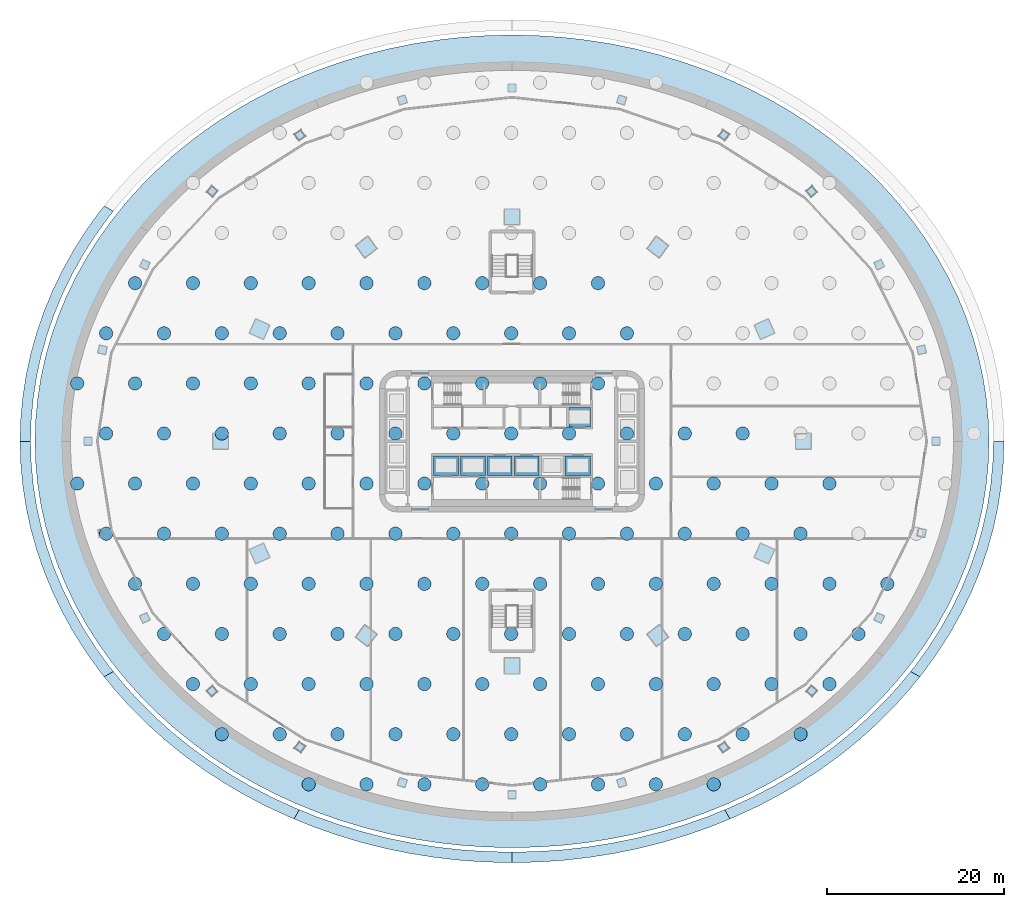
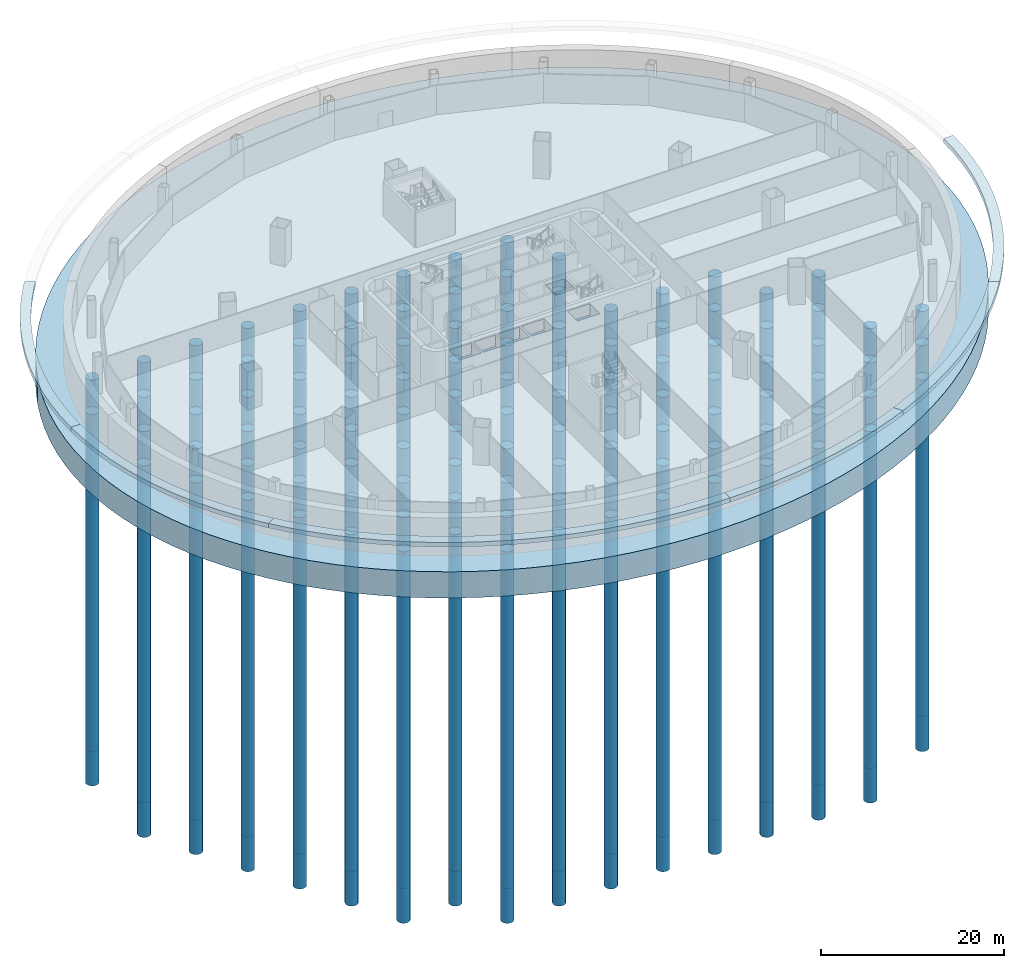
# One storey, part 1 of 19: 126 piles, 14 footings.
"""IFC4 building model written with IfcOpenShell, lengths in metres."""

import ifcopenshell
import ifcopenshell.guid

model = None  # the IFC model being written
_history = None  # IfcOwnerHistory: only IFC2X3 demands one
_inside = {}  # id of a spatial element -> (the spatial element, [elements in it])
_under = {}  # id of a project, library or spatial element -> (it, [spatial elements below it])
_declared = {}  # id of a project -> (the project, [libraries it declares])
_typed = {}  # id of a type object -> (the type object, [elements of that type])
_made_of = {}  # id of a material, layer set ... -> (it, [elements and type objects made of it])


def new_model(schema):
    """Start an empty IFC model of exactly this schema.

    Asked for "IFC4X3", IfcOpenShell would pick the latest addendum, in which some entities
    have other attributes; the version numbers below select the first issue.
    IFC2X3 requires an IfcOwnerHistory on every rooted entity: one is made here for all.
    """
    global model, _history
    if schema == "IFC4X3":
        model = ifcopenshell.file(schema_version=(4, 3, 0, 0))
    else:
        model = ifcopenshell.file(schema=schema)
    _inside.clear()
    _under.clear()
    _declared.clear()
    _typed.clear()
    _made_of.clear()
    _history = None
    if model.schema == "IFC2X3":
        org = make("IfcOrganization", Name="unknown")
        user = make(
            "IfcPersonAndOrganization",
            ThePerson=make("IfcPerson", FamilyName="unknown"),
            TheOrganization=org,
        )
        app = make(
            "IfcApplication",
            ApplicationDeveloper=org,
            Version="unknown",
            ApplicationFullName="unknown",
            ApplicationIdentifier="unknown",
        )
        _history = make(
            "IfcOwnerHistory",
            OwningUser=user,
            OwningApplication=app,
            ChangeAction="ADDED",
            CreationDate=0,
        )
    return model


def make(cls, **values):
    """One entity of the class cls with the attributes given. An attribute that is None is left unset."""
    return model.create_entity(
        cls, **{name: value for name, value in values.items() if value is not None}
    )


def rooted(cls, **values):
    """An entity with a GlobalId (a new one), such as an element, a storey or a relation."""
    return make(cls, GlobalId=ifcopenshell.guid.new(), OwnerHistory=_history, **values)


def si_unit(unit_type, name, prefix=None):
    """IfcSIUnit, for example si_unit("LENGTHUNIT", "METRE", prefix="MILLI")."""
    return make("IfcSIUnit", UnitType=unit_type, Prefix=prefix, Name=name)


def assignment(units):
    """IfcUnitAssignment: the units of a project."""
    return None if units is None else make("IfcUnitAssignment", Units=units)


def point(xyz):
    """IfcCartesianPoint."""
    return None if xyz is None else make("IfcCartesianPoint", Coordinates=xyz)


def direction(xyz):
    """IfcDirection."""
    return None if xyz is None else make("IfcDirection", DirectionRatios=xyz)


def frame(location, z_axis=None, x_axis=None):
    """IfcAxis2Placement3D, a coordinate frame: its origin and axes. An axis left out is left unset."""
    return make(
        "IfcAxis2Placement3D",
        Location=point(location),
        Axis=direction(z_axis),
        RefDirection=direction(x_axis),
    )


def frame_2d(location, x_axis=None):
    """IfcAxis2Placement2D, a coordinate frame in the plane: its origin and x axis."""
    return make(
        "IfcAxis2Placement2D", Location=point(location), RefDirection=direction(x_axis)
    )


def origin():
    """The frame at (0, 0, 0) with its axes left unset."""
    return frame((0.0, 0.0, 0.0))


def origin_2d():
    """The frame at (0, 0) in the plane with its x axis left unset."""
    return frame_2d((0.0, 0.0))


def place(relative_to, where):
    """IfcLocalPlacement: puts the frame where relative to a parent placement (None: the world)."""
    return make(
        "IfcLocalPlacement", PlacementRelTo=relative_to, RelativePlacement=where
    )


def context(
    kind, dimensions, precision=None, world=None, true_north=None, identifier=None
):
    """IfcGeometricRepresentationContext, for example the 3D "Model" context."""
    return make(
        "IfcGeometricRepresentationContext",
        ContextIdentifier=identifier,
        ContextType=kind,
        CoordinateSpaceDimension=dimensions,
        Precision=precision,
        WorldCoordinateSystem=world,
        TrueNorth=true_north,
    )


def subcontext(parent, identifier, kind, view, scale=None):
    """IfcGeometricRepresentationSubContext, for example "Body" below "Model"."""
    return make(
        "IfcGeometricRepresentationSubContext",
        ContextIdentifier=identifier,
        ContextType=kind,
        ParentContext=parent,
        TargetScale=scale,
        TargetView=view,
    )


def project(units=None, contexts=None):
    """IfcProject with its units and contexts."""
    return rooted(
        "IfcProject",
        Name="project",
        RepresentationContexts=contexts,
        UnitsInContext=assignment(units),
    )


def spatial(cls, under=None, at=None, **own):
    """A site, building, storey or space (cls), placed at a placement, below another one or the project."""
    s = rooted(cls, ObjectPlacement=at, **own)
    if under is not None:
        _under.setdefault(under.id(), (under, []))[1].append(s)
    return s


def polyline(points):
    """IfcPolyline through the points."""
    return make("IfcPolyline", Points=[point(p) for p in points])


def profile(cls, at=None, kind="AREA", **sizes):
    """A parametric profile (cls). Its sizes go by their IFC names, for example OverallWidth=200.0."""
    return make(cls, ProfileType=kind, Position=at, **sizes)


def circle(**sizes):
    """IfcCircleProfileDef."""
    return profile("IfcCircleProfileDef", **sizes)


def outline(outer, holes=None, kind="AREA"):
    """IfcArbitraryClosedProfileDef: a profile drawn as a closed curve; with holes, ...WithVoids."""
    if holes is None:
        return make("IfcArbitraryClosedProfileDef", ProfileType=kind, OuterCurve=outer)
    return make(
        "IfcArbitraryProfileDefWithVoids",
        ProfileType=kind,
        OuterCurve=outer,
        InnerCurves=holes,
    )


def extrude(swept, where, along, depth):
    """IfcExtrudedAreaSolid: the profile swept, set in the frame where, extruded along a direction by depth."""
    return make(
        "IfcExtrudedAreaSolid",
        SweptArea=swept,
        Position=where,
        ExtrudedDirection=direction(along),
        Depth=depth,
    )


def shape(context_of_items, identifier, shape_type, items):
    """IfcShapeRepresentation: the items that make up one representation, for example the "Body"."""
    return make(
        "IfcShapeRepresentation",
        ContextOfItems=context_of_items,
        RepresentationIdentifier=identifier,
        RepresentationType=shape_type,
        Items=items,
    )


def material(Name=None, Category=None):
    """IfcMaterial."""
    return make("IfcMaterial", Name=Name, Category=Category)


def layer(
    of_material, thickness, ventilated=None, Name=None, Category=None, Priority=None
):
    """IfcMaterialLayer: one layer of a wall or slab, of a material (None: an air gap)."""
    return make(
        "IfcMaterialLayer",
        Material=of_material,
        LayerThickness=thickness,
        IsVentilated=ventilated,
        Name=Name,
        Category=Category,
        Priority=Priority,
    )


def layer_set(layers, Name=None):
    """IfcMaterialLayerSet."""
    return make("IfcMaterialLayerSet", MaterialLayers=layers, LayerSetName=Name)


def material_profile(
    of_material, cross_section, Name=None, Category=None, Priority=None
):
    """IfcMaterialProfile: a cross section and its material."""
    return make(
        "IfcMaterialProfile",
        Name=Name,
        Material=of_material,
        Profile=cross_section,
        Priority=Priority,
        Category=Category,
    )


def profile_set(profiles, Name=None, composite=None):
    """IfcMaterialProfileSet."""
    return make(
        "IfcMaterialProfileSet",
        Name=Name,
        MaterialProfiles=profiles,
        CompositeProfile=composite,
    )


def made_of(thing, what):
    """Note that an element or type object is made of a material, layer set ...; save() writes the relation."""
    if what is not None:
        _made_of.setdefault(what.id(), (what, []))[1].append(thing)
    return thing


def type_object(cls, material=None, **own):
    """A type object (cls), such as IfcWallType, which elements share."""
    return made_of(rooted(cls, **own), material)


def element(
    cls,
    number,
    at=None,
    inside=None,
    cuts=None,
    type_object=None,
    material=None,
    context=None,
    identifier="Body",
    shape_type=None,
    held_by="IfcProductDefinitionShape",
    body=None,
    shapes=None,
    **own,
):
    """One element of the class cls, such as IfcWall. Its Tag is "e" and its number.

    at: its placement. inside: the storey or other place that contains it. cuts: it is an
    opening in that element (IfcRelVoidsElement). A single representation is given by context,
    identifier, shape_type and body (its items); several are given by shapes. held_by: the class
    of the entity that holds the representations. save() writes the other relations.
    """
    e = rooted(cls, Tag="e%d" % number, ObjectPlacement=at, **own)
    if body is not None:
        shapes = [shape(context, identifier, shape_type, body)]
    if shapes is not None:
        e.Representation = make(held_by, Representations=shapes)
    if inside is not None:
        _inside.setdefault(inside.id(), (inside, []))[1].append(e)
    if cuts is not None:
        rooted(
            "IfcRelVoidsElement", RelatingBuildingElement=cuts, RelatedOpeningElement=e
        )
    if type_object is not None:
        _typed.setdefault(type_object.id(), (type_object, []))[1].append(e)
    return made_of(e, material)


def aggregate(whole, parts):
    """IfcRelAggregates: a whole, such as a stair, and the parts it consists of."""
    return rooted("IfcRelAggregates", RelatingObject=whole, RelatedObjects=parts)


def save(model, path):
    """Write the relations noted so far, then the file.

    IfcRelAggregates (storeys below a building ...), IfcRelContainedInSpatialStructure (elements
    in a storey), IfcRelDefinesByType, IfcRelAssociatesMaterial and IfcRelDeclares: one each for
    every whole, place, type object, material and project.
    """
    for whole, parts in _under.values():
        aggregate(whole, parts)
    for where, things in _inside.values():
        rooted(
            "IfcRelContainedInSpatialStructure",
            RelatedElements=things,
            RelatingStructure=where,
        )
    for kind, things in _typed.values():
        rooted("IfcRelDefinesByType", RelatedObjects=things, RelatingType=kind)
    for what, things in _made_of.values():
        rooted("IfcRelAssociatesMaterial", RelatedObjects=things, RelatingMaterial=what)
    for by, libraries in _declared.values():
        rooted("IfcRelDeclares", RelatingContext=by, RelatedDefinitions=libraries)
    model.write(path)


model = new_model("IFC4")

# Units and contexts
model_context = context("Model", 3, precision=1e-05, world=origin(), true_north=direction((0.0, 1.0)))
body_context = subcontext(model_context, "Body", "Model", "MODEL_VIEW")
ifc_project = project(units=[si_unit("LENGTHUNIT", "METRE"), si_unit("AREAUNIT", "SQUARE_METRE"), si_unit("VOLUMEUNIT", "CUBIC_METRE"), si_unit("PLANEANGLEUNIT", "RADIAN"), si_unit("MASSUNIT", "GRAM", prefix="KILO")], contexts=[model_context])

# Site, building, storey
site_placement = place(None, origin())
site = spatial("IfcSite", under=ifc_project, at=site_placement, CompositionType="ELEMENT")
building_placement = place(site_placement, origin())
building = spatial("IfcBuilding", under=site, at=building_placement, Name="Sahrelin Media Tower", CompositionType="ELEMENT")
storey_placement = place(building_placement, frame((0.0, 0.0, -5.0)))
storey = spatial("IfcBuildingStorey", under=building, at=storey_placement, Name="B1", CompositionType="ELEMENT", Elevation=-5.0)

# Piles
ifc_material_1 = material(Name="Concrete C60/75", Category="concrete")
ifc_material_profile = material_profile(ifc_material_1, circle(Radius=0.75, at=origin_2d()), Name="Bored pile D1500")
ifc_profile_set = profile_set([ifc_material_profile], Name="Concrete C60/75")
pile_type = type_object("IfcPileType", Name="Bored pile D1500", PredefinedType="BORED", material=ifc_profile_set)
for number, where, z_axis, x_axis, name in (
    (1, (-23.0205078125, -38.82666015625, -3.800048828125), (0.0, 0.0, -1.0), (1.0, 0.0, 0.0), "Bored pile 1"),
    (2, (-16.469482421875, -38.82666015625, -3.800048828125), (0.0, 0.0, -1.0), (1.0, 0.0, 0.0), "Bored pile 2"),
    (3, (-9.91845703125, -38.82666015625, -3.800048828125), (0.0, 0.0, -1.0), (1.0, 0.0, 0.0), "Bored pile 3"),
    (4, (-3.367431640625, -38.82666015625, -3.800048828125), (0.0, 0.0, -1.0), (1.0, 0.0, 0.0), "Bored pile 4"),
    (5, (3.18359375, -38.82666015625, -3.800048828125), (0.0, 0.0, -1.0), (1.0, 0.0, 0.0), "Bored pile 5"),
    (6, (9.734619140625, -38.82666015625, -3.800048828125), (0.0, 0.0, -1.0), (1.0, 0.0, 0.0), "Bored pile 6"),
    (7, (16.285400390625, -38.82666015625, -3.800048828125), (0.0, 0.0, -1.0), (1.0, 0.0, 0.0), "Bored pile 7"),
    (8, (22.83642578125, -38.82666015625, -3.800048828125), (0.0, 0.0, -1.0), (1.0, 0.0, 0.0), "Bored pile 8"),
    (9, (-32.846923828125, -33.1533203125, -3.800048828125), (0.0, 0.0, -1.0), (1.0, 0.0, 0.0), "Bored pile 9"),
    (10, (-26.2958984375, -33.1533203125, -3.800048828125), (0.0, 0.0, -1.0), (1.0, 0.0, 0.0), "Bored pile 10"),
    (11, (-19.7451171875, -33.1533203125, -3.800048828125), (0.0, 0.0, -1.0), (1.0, 0.0, 0.0), "Bored pile 11"),
    (12, (-13.194091796875, -33.1533203125, -3.800048828125), (0.0, 0.0, -1.0), (1.0, 0.0, 0.0), "Bored pile 12"),
    (13, (-6.64306640625, -33.1533203125, -3.800048828125), (0.0, 0.0, -1.0), (1.0, 0.0, 0.0), "Bored pile 13"),
    (14, (-0.092041015625, -33.1533203125, -3.800048828125), (0.0, 0.0, -1.0), (1.0, 0.0, 0.0), "Bored pile 14"),
    (15, (6.458984375, -33.1533203125, -3.800048828125), (0.0, 0.0, -1.0), (1.0, 0.0, 0.0), "Bored pile 15"),
    (16, (13.010009765625, -33.1533203125, -3.800048828125), (0.0, 0.0, -1.0), (1.0, 0.0, 0.0), "Bored pile 16"),
    (17, (19.56103515625, -33.1533203125, -3.800048828125), (0.0, 0.0, -1.0), (1.0, 0.0, 0.0), "Bored pile 17"),
    (18, (26.112060546875, -33.1533203125, -3.800048828125), (0.0, 0.0, -1.0), (1.0, 0.0, 0.0), "Bored pile 18"),
    (19, (32.6630859375, -33.1533203125, -3.800048828125), (0.0, 0.0, -1.0), (1.0, 0.0, 0.0), "Bored pile 19"),
    (20, (-36.12255859375, -27.47998046875, -3.800048828125), (0.0, 0.0, -1.0), (1.0, 0.0, 0.0), "Bored pile 20"),
    (21, (-29.571533203125, -27.47998046875, -3.800048828125), (0.0, 0.0, -1.0), (1.0, 0.0, 0.0), "Bored pile 21"),
    (22, (-23.0205078125, -27.47998046875, -3.800048828125), (0.0, 0.0, -1.0), (1.0, 0.0, 0.0), "Bored pile 22"),
    (23, (-16.469482421875, -27.47998046875, -3.800048828125), (0.0, 0.0, -1.0), (1.0, 0.0, 0.0), "Bored pile 23"),
    (24, (-9.91845703125, -27.47998046875, -3.800048828125), (0.0, 0.0, -1.0), (1.0, 0.0, 0.0), "Bored pile 24"),
    (25, (-3.367431640625, -27.47998046875, -3.800048828125), (0.0, 0.0, -1.0), (1.0, 0.0, 0.0), "Bored pile 25"),
    (26, (3.18359375, -27.47998046875, -3.800048828125), (0.0, 0.0, -1.0), (1.0, 0.0, 0.0), "Bored pile 26"),
    (27, (9.734619140625, -27.47998046875, -3.800048828125), (0.0, 0.0, -1.0), (1.0, 0.0, 0.0), "Bored pile 27"),
    (28, (16.285400390625, -27.47998046875, -3.800048828125), (0.0, 0.0, -1.0), (1.0, 0.0, 0.0), "Bored pile 28"),
    (29, (22.83642578125, -27.47998046875, -3.800048828125), (0.0, 0.0, -1.0), (1.0, 0.0, 0.0), "Bored pile 29"),
    (30, (29.387451171875, -27.47998046875, -3.800048828125), (0.0, 0.0, -1.0), (1.0, 0.0, 0.0), "Bored pile 30"),
    (31, (35.9384765625, -27.47998046875, -3.800048828125), (0.0, 0.0, -1.0), (1.0, 0.0, 0.0), "Bored pile 31"),
    (32, (-39.39794921875, -21.806640625, -3.800048828125), (0.0, 0.0, -1.0), (1.0, 0.0, 0.0), "Bored pile 32"),
    (33, (-32.846923828125, -21.806640625, -3.800048828125), (0.0, 0.0, -1.0), (1.0, 0.0, 0.0), "Bored pile 33"),
    (34, (-26.2958984375, -21.806640625, -3.800048828125), (0.0, 0.0, -1.0), (1.0, 0.0, 0.0), "Bored pile 34"),
    (35, (-19.7451171875, -21.806640625, -3.800048828125), (0.0, 0.0, -1.0), (1.0, 0.0, 0.0), "Bored pile 35"),
    (36, (-13.194091796875, -21.806640625, -3.800048828125), (0.0, 0.0, -1.0), (1.0, 0.0, 0.0), "Bored pile 36"),
    (37, (-6.64306640625, -21.806640625, -3.800048828125), (0.0, 0.0, -1.0), (1.0, 0.0, 0.0), "Bored pile 37"),
    (38, (-0.092041015625, -21.806640625, -3.800048828125), (0.0, 0.0, -1.0), (1.0, 0.0, 0.0), "Bored pile 38"),
    (39, (6.458984375, -21.806640625, -3.800048828125), (0.0, 0.0, -1.0), (1.0, 0.0, 0.0), "Bored pile 39"),
    (40, (13.010009765625, -21.806640625, -3.800048828125), (0.0, 0.0, -1.0), (1.0, 0.0, 0.0), "Bored pile 40"),
    (41, (19.56103515625, -21.806640625, -3.800048828125), (0.0, 0.0, -1.0), (1.0, 0.0, 0.0), "Bored pile 41"),
    (42, (26.112060546875, -21.806640625, -3.800048828125), (0.0, 0.0, -1.0), (1.0, 0.0, 0.0), "Bored pile 42"),
    (43, (32.6630859375, -21.806640625, -3.800048828125), (0.0, 0.0, -1.0), (1.0, 0.0, 0.0), "Bored pile 43"),
    (44, (39.214111328125, -21.806640625, -3.800048828125), (0.0, 0.0, -1.0), (1.0, 0.0, 0.0), "Bored pile 44"),
    (45, (-42.673583984375, -16.13330078125, -3.800048828125), (0.0, 0.0, -1.0), (1.0, 0.0, 0.0), "Bored pile 45"),
    (46, (-36.12255859375, -16.13330078125, -3.800048828125), (0.0, 0.0, -1.0), (1.0, 0.0, 0.0), "Bored pile 46"),
    (47, (-29.571533203125, -16.13330078125, -3.800048828125), (0.0, 0.0, -1.0), (1.0, 0.0, 0.0), "Bored pile 47"),
    (48, (-23.0205078125, -16.13330078125, -3.800048828125), (0.0, 0.0, -1.0), (1.0, 0.0, 0.0), "Bored pile 48"),
    (49, (-16.469482421875, -16.13330078125, -3.800048828125), (0.0, 0.0, -1.0), (1.0, 0.0, 0.0), "Bored pile 49"),
    (50, (-9.91845703125, -16.13330078125, -3.800048828125), (0.0, 0.0, -1.0), (1.0, 0.0, 0.0), "Bored pile 50"),
    (51, (-3.367431640625, -16.13330078125, -3.800048828125), (0.0, 0.0, -1.0), (1.0, 0.0, 0.0), "Bored pile 51"),
    (52, (3.18359375, -16.13330078125, -3.800048828125), (0.0, 0.0, -1.0), (1.0, 0.0, 0.0), "Bored pile 52"),
    (53, (9.734619140625, -16.13330078125, -3.800048828125), (0.0, 0.0, -1.0), (1.0, 0.0, 0.0), "Bored pile 53"),
    (54, (16.285400390625, -16.13330078125, -3.800048828125), (0.0, 0.0, -1.0), (1.0, 0.0, 0.0), "Bored pile 54"),
    (55, (22.83642578125, -16.13330078125, -3.800048828125), (0.0, 0.0, -1.0), (1.0, 0.0, 0.0), "Bored pile 55"),
    (56, (29.387451171875, -16.13330078125, -3.800048828125), (0.0, 0.0, -1.0), (1.0, 0.0, 0.0), "Bored pile 56"),
    (57, (35.9384765625, -16.13330078125, -3.800048828125), (0.0, 0.0, -1.0), (1.0, 0.0, 0.0), "Bored pile 57"),
    (58, (42.489501953125, -16.13330078125, -3.800048828125), (0.0, 0.0, -1.0), (1.0, 0.0, 0.0), "Bored pile 58"),
    (59, (-45.948974609375, -10.4599609375, -3.800048828125), (0.0, 0.0, -1.0), (1.0, 0.0, 0.0), "Bored pile 59"),
    (60, (-39.39794921875, -10.4599609375, -3.800048828125), (0.0, 0.0, -1.0), (1.0, 0.0, 0.0), "Bored pile 60"),
    (61, (-32.846923828125, -10.4599609375, -3.800048828125), (0.0, 0.0, -1.0), (1.0, 0.0, 0.0), "Bored pile 61"),
    (62, (-26.2958984375, -10.4599609375, -3.800048828125), (0.0, 0.0, -1.0), (1.0, 0.0, 0.0), "Bored pile 62"),
    (63, (-19.7451171875, -10.4599609375, -3.800048828125), (0.0, 0.0, -1.0), (1.0, 0.0, 0.0), "Bored pile 63"),
    (64, (-13.194091796875, -10.4599609375, -3.800048828125), (0.0, 0.0, -1.0), (1.0, 0.0, 0.0), "Bored pile 64"),
    (65, (-6.64306640625, -10.4599609375, -3.800048828125), (0.0, 0.0, -1.0), (1.0, 0.0, 0.0), "Bored pile 65"),
    (66, (-0.092041015625, -10.4599609375, -3.800048828125), (0.0, 0.0, -1.0), (1.0, 0.0, 0.0), "Bored pile 66"),
    (67, (6.458984375, -10.4599609375, -3.800048828125), (0.0, 0.0, -1.0), (1.0, 0.0, 0.0), "Bored pile 67"),
    (68, (13.010009765625, -10.4599609375, -3.800048828125), (0.0, 0.0, -1.0), (1.0, 0.0, 0.0), "Bored pile 68"),
    (69, (19.56103515625, -10.4599609375, -3.800048828125), (0.0, 0.0, -1.0), (1.0, 0.0, 0.0), "Bored pile 69"),
    (70, (26.112060546875, -10.4599609375, -3.800048828125), (0.0, 0.0, -1.0), (1.0, 0.0, 0.0), "Bored pile 70"),
    (71, (32.6630859375, -10.4599609375, -3.800048828125), (0.0, 0.0, -1.0), (1.0, 0.0, 0.0), "Bored pile 71"),
    (72, (-49.224609375, -4.78662109375, -3.800048828125), (0.0, 0.0, -1.0), (1.0, 0.0, 0.0), "Bored pile 74"),
    (73, (-42.673583984375, -4.78662109375, -3.800048828125), (0.0, 0.0, -1.0), (1.0, 0.0, 0.0), "Bored pile 75"),
    (74, (-36.12255859375, -4.78662109375, -3.800048828125), (0.0, 0.0, -1.0), (1.0, 0.0, 0.0), "Bored pile 76"),
    (75, (-29.571533203125, -4.78662109375, -3.800048828125), (0.0, 0.0, -1.0), (1.0, 0.0, 0.0), "Bored pile 77"),
    (76, (-23.0205078125, -4.78662109375, -3.800048828125), (0.0, 0.0, -1.0), (1.0, 0.0, 0.0), "Bored pile 78"),
    (77, (-16.469482421875, -4.78662109375, -3.800048828125), (0.0, 0.0, -1.0), (1.0, 0.0, 0.0), "Bored pile 79"),
    (78, (-9.91845703125, -4.78662109375, -3.800048828125), (0.0, 0.0, -1.0), (1.0, 0.0, 0.0), "Bored pile 80"),
    (79, (-3.367431640625, -4.78662109375, -3.800048828125), (0.0, 0.0, -1.0), (1.0, 0.0, 0.0), "Bored pile 81"),
    (80, (3.18359375, -4.78662109375, -3.800048828125), (0.0, 0.0, -1.0), (1.0, 0.0, 0.0), "Bored pile 82"),
    (81, (9.734619140625, -4.78662109375, -3.800048828125), (0.0, 0.0, -1.0), (1.0, 0.0, 0.0), "Bored pile 83"),
    (82, (16.285400390625, -4.78662109375, -3.800048828125), (0.0, 0.0, -1.0), (1.0, 0.0, 0.0), "Bored pile 84"),
    (83, (22.83642578125, -4.78662109375, -3.800048828125), (0.0, 0.0, -1.0), (1.0, 0.0, 0.0), "Bored pile 85"),
    (84, (29.387451171875, -4.78662109375, -3.800048828125), (0.0, 0.0, -1.0), (1.0, 0.0, 0.0), "Bored pile 86"),
    (85, (35.9384765625, -4.78662109375, -3.800048828125), (0.0, 0.0, -1.0), (1.0, 0.0, 0.0), "Bored pile 87"),
    (86, (-45.948974609375, 0.88671875, -3.800048828125), (0.0, 0.0, -1.0), (1.0, 0.0, 0.0), "Bored pile 90"),
    (87, (-39.39794921875, 0.88671875, -3.800048828125), (0.0, 0.0, -1.0), (1.0, 0.0, 0.0), "Bored pile 91"),
    (88, (-32.846923828125, 0.88671875, -3.800048828125), (0.0, 0.0, -1.0), (1.0, 0.0, 0.0), "Bored pile 92"),
    (89, (-26.2958984375, 0.88671875, -3.800048828125), (0.0, 0.0, -1.0), (1.0, 0.0, 0.0), "Bored pile 93"),
    (90, (-19.7451171875, 0.88671875, -3.800048828125), (0.0, 0.0, -1.0), (1.0, 0.0, 0.0), "Bored pile 94"),
    (91, (-13.194091796875, 0.88671875, -3.800048828125), (0.0, 0.0, -1.0), (1.0, 0.0, 0.0), "Bored pile 95"),
    (92, (-6.64306640625, 0.88671875, -3.800048828125), (0.0, 0.0, -1.0), (1.0, 0.0, 0.0), "Bored pile 96"),
    (93, (-0.092041015625, 0.88671875, -3.800048828125), (0.0, 0.0, -1.0), (1.0, 0.0, 0.0), "Bored pile 97"),
    (94, (6.458984375, 0.88671875, -3.800048828125), (0.0, 0.0, -1.0), (1.0, 0.0, 0.0), "Bored pile 98"),
    (95, (13.010009765625, 0.88671875, -3.800048828125), (0.0, 0.0, -1.0), (1.0, 0.0, 0.0), "Bored pile 99"),
    (96, (19.56103515625, 0.88671875, -3.800048828125), (0.0, 0.0, -1.0), (1.0, 0.0, 0.0), "Bored pile 100"),
    (97, (26.112060546875, 0.88671875, -3.800048828125), (0.0, 0.0, -1.0), (1.0, 0.0, 0.0), "Bored pile 101"),
    (98, (-49.224609375, 6.56005859375, -3.800048828125), (0.0, 0.0, -1.0), (1.0, 0.0, 0.0), "Bored pile 106"),
    (99, (-42.673583984375, 6.56005859375, -3.800048828125), (0.0, 0.0, -1.0), (1.0, 0.0, 0.0), "Bored pile 107"),
    (100, (-36.12255859375, 6.56005859375, -3.800048828125), (0.0, 0.0, -1.0), (1.0, 0.0, 0.0), "Bored pile 108"),
    (101, (-29.571533203125, 6.56005859375, -3.800048828125), (0.0, 0.0, -1.0), (1.0, 0.0, 0.0), "Bored pile 109"),
    (102, (-23.0205078125, 6.56005859375, -3.800048828125), (0.0, 0.0, -1.0), (1.0, 0.0, 0.0), "Bored pile 110"),
    (103, (-16.469482421875, 6.56005859375, -3.800048828125), (0.0, 0.0, -1.0), (1.0, 0.0, 0.0), "Bored pile 111"),
    (104, (-9.91845703125, 6.56005859375, -3.800048828125), (0.0, 0.0, -1.0), (1.0, 0.0, 0.0), "Bored pile 112"),
    (105, (-3.367431640625, 6.56005859375, -3.800048828125), (0.0, 0.0, -1.0), (1.0, 0.0, 0.0), "Bored pile 113"),
    (106, (3.18359375, 6.56005859375, -3.800048828125), (0.0, 0.0, -1.0), (1.0, 0.0, 0.0), "Bored pile 114"),
    (107, (9.734619140625, 6.56005859375, -3.800048828125), (0.0, 0.0, -1.0), (1.0, 0.0, 0.0), "Bored pile 115"),
    (108, (-45.948974609375, 12.2333984375, -3.800048828125), (0.0, 0.0, -1.0), (1.0, 0.0, 0.0), "Bored pile 122"),
    (109, (-39.39794921875, 12.2333984375, -3.800048828125), (0.0, 0.0, -1.0), (1.0, 0.0, 0.0), "Bored pile 123"),
    (110, (-32.846923828125, 12.2333984375, -3.800048828125), (0.0, 0.0, -1.0), (1.0, 0.0, 0.0), "Bored pile 124"),
    (111, (-26.2958984375, 12.2333984375, -3.800048828125), (0.0, 0.0, -1.0), (1.0, 0.0, 0.0), "Bored pile 125"),
    (112, (-19.7451171875, 12.2333984375, -3.800048828125), (0.0, 0.0, -1.0), (1.0, 0.0, 0.0), "Bored pile 126"),
    (113, (-13.194091796875, 12.2333984375, -3.800048828125), (0.0, 0.0, -1.0), (1.0, 0.0, 0.0), "Bored pile 127"),
    (114, (-6.64306640625, 12.2333984375, -3.800048828125), (0.0, 0.0, -1.0), (1.0, 0.0, 0.0), "Bored pile 128"),
    (115, (-0.092041015625, 12.2333984375, -3.800048828125), (0.0, 0.0, -1.0), (1.0, 0.0, 0.0), "Bored pile 129"),
    (116, (6.458984375, 12.2333984375, -3.800048828125), (0.0, 0.0, -1.0), (1.0, 0.0, 0.0), "Bored pile 130"),
    (117, (13.010009765625, 12.2333984375, -3.800048828125), (0.0, 0.0, -1.0), (1.0, 0.0, 0.0), "Bored pile 131"),
    (118, (-42.673583984375, 17.90673828125, -3.800048828125), (0.0, 0.0, -1.0), (1.0, 0.0, 0.0), "Bored pile 137"),
    (119, (-36.12255859375, 17.90673828125, -3.800048828125), (0.0, 0.0, -1.0), (1.0, 0.0, 0.0), "Bored pile 138"),
    (120, (-29.571533203125, 17.90673828125, -3.800048828125), (0.0, 0.0, -1.0), (1.0, 0.0, 0.0), "Bored pile 139"),
    (121, (-23.0205078125, 17.90673828125, -3.800048828125), (0.0, 0.0, -1.0), (1.0, 0.0, 0.0), "Bored pile 140"),
    (122, (-16.469482421875, 17.90673828125, -3.800048828125), (0.0, 0.0, -1.0), (1.0, 0.0, 0.0), "Bored pile 141"),
    (123, (-9.91845703125, 17.90673828125, -3.800048828125), (0.0, 0.0, -1.0), (1.0, 0.0, 0.0), "Bored pile 142"),
    (124, (-3.367431640625, 17.90673828125, -3.800048828125), (0.0, 0.0, -1.0), (1.0, 0.0, 0.0), "Bored pile 143"),
    (125, (3.18359375, 17.90673828125, -3.800048828125), (0.0, 0.0, -1.0), (1.0, 0.0, 0.0), "Bored pile 144"),
    (126, (9.734619140625, 17.90673828125, -3.800048828125), (0.0, 0.0, -1.0), (1.0, 0.0, 0.0), "Bored pile 145"),
):
    element("IfcPile", number, at=place(storey_placement, frame(where, z_axis=z_axis, x_axis=x_axis)), inside=storey, type_object=pile_type, Name=name, PredefinedType="BORED", context=body_context, shape_type="SweptSolid", body=[
        extrude(circle(Radius=0.75, at=origin_2d()), origin(), (0.0, 0.0, 1.0), 45.0),
    ])

# Footings
ifc_material_2 = material(Name="Concrete C50/60", Category="concrete")
ifc_layer_1 = layer(ifc_material_2, 3.5)
ifc_layer_set_1 = layer_set([ifc_layer_1], Name="Piled raft")
footing_type_1 = type_object("IfcFootingType", Name="Piled raft", PredefinedType="PILE_CAP", material=ifc_layer_set_1)
placement_1 = place(storey_placement, frame((0.0, 0.0, -3.800048828125)))
element("IfcFooting", 127, at=placement_1, inside=storey, type_object=footing_type_1, Name="Raft", PredefinedType="PILE_CAP", context=body_context, shape_type="SweptSolid", body=[
    extrude(outline(polyline([(52.159912109375, -11.90576171875), (52.820068359375, -9.56396484375), (53.335205078125, -7.196044921875), (53.7041015625, -4.808349609375), (53.926025390625, -2.407470703125), (54.0, 0.0), (53.926025390625, 2.407470703125), (53.7041015625, 4.808349609375), (53.335205078125, 7.196044921875), (52.820068359375, 9.56396484375), (52.159912109375, 11.90576171875), (51.357177734375, 14.21484375), (50.413330078125, 16.48486328125), (49.33154296875, 18.7099609375), (48.114501953125, 20.883544921875), (46.765380859375, 23.0), (45.2880859375, 25.053466796875), (43.68701171875, 27.0380859375), (41.9658203125, 28.94873046875), (40.1298828125, 30.780029296875), (38.183837890625, 32.52685546875), (36.133056640625, 34.184814453125), (33.9833984375, 35.748779296875), (31.740478515625, 37.21484375), (29.410400390625, 38.578857421875), (27.0, 39.837158203125), (24.515380859375, 40.986328125), (21.9638671875, 42.023193359375), (19.351806640625, 42.944580078125), (16.68701171875, 43.74853515625), (13.976318359375, 44.4326171875), (11.227294921875, 44.994873046875), (8.447509765625, 45.43359375), (5.64453125, 45.748046875), (2.826171875, 45.93701171875), (0.0, 46.0), (-2.826171875, 45.93701171875), (-5.64453125, 45.748046875), (-8.447509765625, 45.43359375), (-11.227294921875, 44.994873046875), (-13.976318359375, 44.4326171875), (-16.68701171875, 43.74853515625), (-19.351806640625, 42.944580078125), (-21.9638671875, 42.023193359375), (-24.515380859375, 40.986328125), (-27.0, 39.837158203125), (-29.410400390625, 38.578857421875), (-31.740478515625, 37.21484375), (-33.9833984375, 35.748779296875), (-36.133056640625, 34.184814453125), (-38.183837890625, 32.52685546875), (-40.1298828125, 30.780029296875), (-41.9658203125, 28.94873046875), (-43.68701171875, 27.0380859375), (-45.2880859375, 25.053466796875), (-46.765380859375, 23.0), (-48.114501953125, 20.883544921875), (-49.33154296875, 18.7099609375), (-50.413330078125, 16.48486328125), (-51.357177734375, 14.21484375), (-52.159912109375, 11.90576171875), (-52.820068359375, 9.56396484375), (-53.335205078125, 7.196044921875), (-53.7041015625, 4.808349609375), (-53.926025390625, 2.407470703125), (-54.0, 0.0), (-53.926025390625, -2.407470703125), (-53.7041015625, -4.808349609375), (-53.335205078125, -7.196044921875), (-52.820068359375, -9.56396484375), (-52.159912109375, -11.90576171875), (-51.357177734375, -14.21484375), (-50.413330078125, -16.48486328125), (-49.33154296875, -18.7099609375), (-48.114501953125, -20.883544921875), (-46.765380859375, -23.0), (-45.2880859375, -25.053466796875), (-43.68701171875, -27.0380859375), (-41.9658203125, -28.94873046875), (-40.1298828125, -30.780029296875), (-38.183837890625, -32.52685546875), (-36.133056640625, -34.184814453125), (-33.9833984375, -35.748779296875), (-31.740478515625, -37.21484375), (-29.410400390625, -38.578857421875), (-27.0, -39.837158203125), (-24.515380859375, -40.986328125), (-21.9638671875, -42.023193359375), (-19.351806640625, -42.944580078125), (-16.68701171875, -43.74853515625), (-13.976318359375, -44.4326171875), (-11.227294921875, -44.994873046875), (-8.447509765625, -45.43359375), (-5.64453125, -45.748046875), (-2.826171875, -45.93701171875), (0.0, -46.0), (2.826171875, -45.93701171875), (5.64453125, -45.748046875), (8.447509765625, -45.43359375), (11.227294921875, -44.994873046875), (13.976318359375, -44.4326171875), (16.68701171875, -43.74853515625), (19.351806640625, -42.944580078125), (21.9638671875, -42.023193359375), (24.515380859375, -40.986328125), (27.0, -39.837158203125), (29.410400390625, -38.578857421875), (31.740478515625, -37.21484375), (33.9833984375, -35.748779296875), (36.133056640625, -34.184814453125), (38.183837890625, -32.52685546875), (40.1298828125, -30.780029296875), (41.9658203125, -28.94873046875), (43.68701171875, -27.0380859375), (45.2880859375, -25.053466796875), (46.765380859375, -23.0), (48.114501953125, -20.883544921875), (49.33154296875, -18.7099609375), (50.413330078125, -16.48486328125), (51.357177734375, -14.21484375), (52.159912109375, -11.90576171875)]), holes=[polyline([(-6.074951171875, -1.64990234375), (-6.074951171875, -3.85009765625), (-8.875, -3.85009765625), (-8.875, -1.64990234375), (-6.074951171875, -1.64990234375)]), polyline([(-3.02490234375, -3.85009765625), (-5.824951171875, -3.85009765625), (-5.824951171875, -1.64990234375), (-3.02490234375, -1.64990234375), (-3.02490234375, -3.85009765625)]), polyline([(6.02490234375, -3.85009765625), (6.02490234375, -1.64990234375), (8.875, -1.64990234375), (8.875, -3.85009765625), (6.02490234375, -3.85009765625)]), polyline([(6.425048828125, 3.85009765625), (8.875, 3.85009765625), (8.875, 1.64990234375), (6.425048828125, 1.64990234375), (6.425048828125, 3.85009765625)]), polyline([(0.02490234375, -1.64990234375), (0.02490234375, -3.85009765625), (-2.77490234375, -3.85009765625), (-2.77490234375, -1.64990234375), (0.02490234375, -1.64990234375)]), polyline([(3.074951171875, -3.85009765625), (0.27490234375, -3.85009765625), (0.27490234375, -1.64990234375), (3.074951171875, -1.64990234375), (3.074951171875, -3.85009765625)])]), origin(), (0.0, 0.0, 1.0), 3.5),
])
footing_type_2 = type_object("IfcFootingType", Name="Plaza ground beam", PredefinedType="FOOTING_BEAM", material=ifc_material_2)
placement_2 = place(storey_placement, frame((0.0, 0.0, 4.199951171875)))
element("IfcFooting", 128, at=placement_2, inside=storey, type_object=footing_type_2, Name="Plaza ground beam 6", PredefinedType="FOOTING_BEAM", context=body_context, shape_type="SweptSolid", body=[
    extrude(outline(polyline([(-55.699951171875, 0.0), (-54.5, 0.0), (-54.5, 0.0), (-54.42529296875, 2.43359375), (-54.201416015625, 4.860595703125), (-53.8291015625, 7.274169921875), (-53.30908203125, 9.66796875), (-52.64306640625, 12.03515625), (-51.83251953125, 14.369384765625), (-50.880126953125, 16.6640625), (-49.7880859375, 18.913330078125), (-48.559814453125, 21.110595703125), (-47.198486328125, 23.25), (-45.70751953125, 25.32568359375), (-45.122802734375, 26.0517578125), (-46.17041015625, 26.656494140625), (-46.714111328125, 25.979248046875), (-48.237548828125, 23.85009765625), (-49.629150390625, 21.6552734375), (-50.884521484375, 19.4013671875), (-52.00048828125, 17.09423828125), (-52.973876953125, 14.739990234375), (-53.802001953125, 12.345703125), (-54.48291015625, 9.91748046875), (-55.01416015625, 7.4619140625), (-55.39501953125, 4.986083984375), (-55.623779296875, 2.496337890625), (-55.699951171875, 0.0), (-55.699951171875, 0.0)])), origin(), (0.0, 0.0, 1.0), 0.60009765625),
])
element("IfcFooting", 129, at=placement_2, inside=storey, type_object=footing_type_2, Name="Plaza ground beam 7", PredefinedType="FOOTING_BEAM", context=body_context, shape_type="SweptSolid", body=[
    extrude(outline(polyline([(-46.17041015625, -26.656494140625), (-45.122802734375, -26.0517578125), (-45.70751953125, -25.32568359375), (-47.198486328125, -23.25), (-48.559814453125, -21.110595703125), (-49.7880859375, -18.913330078125), (-50.880126953125, -16.6640625), (-51.83251953125, -14.369384765625), (-52.64306640625, -12.03515625), (-53.30908203125, -9.66796875), (-53.8291015625, -7.274169921875), (-54.201416015625, -4.860595703125), (-54.42529296875, -2.43359375), (-54.5, 0.0), (-55.699951171875, 0.0), (-55.623779296875, -2.496337890625), (-55.39501953125, -4.986083984375), (-55.01416015625, -7.4619140625), (-54.48291015625, -9.91748046875), (-53.802001953125, -12.345703125), (-52.973876953125, -14.739990234375), (-52.00048828125, -17.09423828125), (-50.884521484375, -19.4013671875), (-49.629150390625, -21.6552734375), (-48.237548828125, -23.85009765625), (-46.714111328125, -25.979248046875), (-46.17041015625, -26.656494140625)])), origin(), (0.0, 0.0, 1.0), 0.60009765625),
])
element("IfcFooting", 130, at=placement_2, inside=storey, type_object=footing_type_2, Name="Plaza ground beam 8", PredefinedType="FOOTING_BEAM", context=body_context, shape_type="SweptSolid", body=[
    extrude(outline(polyline([(-24.680908203125, -42.748779296875), (-24.076904296875, -41.70263671875), (-24.742431640625, -41.431884765625), (-27.25, -40.270263671875), (-29.682861328125, -38.998291015625), (-32.0341796875, -37.619384765625), (-34.298095703125, -36.13720703125), (-36.467529296875, -34.55615234375), (-38.537353515625, -32.880615234375), (-40.50146484375, -31.114501953125), (-42.3544921875, -29.263427734375), (-44.09130859375, -27.33203125), (-45.122802734375, -26.0517578125), (-46.17041015625, -26.656494140625), (-45.062255859375, -28.037353515625), (-43.287109375, -30.0185546875), (-41.393310546875, -31.91748046875), (-39.3857421875, -33.72900390625), (-37.2705078125, -35.447998046875), (-35.052978515625, -37.06982421875), (-32.739501953125, -38.590087890625), (-30.33642578125, -40.004638671875), (-27.85009765625, -41.309326171875), (-25.287353515625, -42.5009765625), (-24.680908203125, -42.748779296875)])), origin(), (0.0, 0.0, 1.0), 0.60009765625),
])
element("IfcFooting", 131, at=placement_2, inside=storey, type_object=footing_type_2, Name="Plaza ground beam 9", PredefinedType="FOOTING_BEAM", context=body_context, shape_type="SweptSolid", body=[
    extrude(outline(polyline([(0.0, -47.699951171875), (0.0, -46.5), (0.0, -46.5), (-2.852294921875, -46.436279296875), (-5.69677734375, -46.245361328125), (-8.525634765625, -45.927490234375), (-11.331298828125, -45.48388671875), (-14.105712890625, -44.91552734375), (-16.84130859375, -44.22412109375), (-19.531005859375, -43.41162109375), (-22.1669921875, -42.47998046875), (-24.076904296875, -41.70263671875), (-24.680908203125, -42.748779296875), (-22.6552734375, -43.576171875), (-19.961181640625, -44.53173828125), (-17.212158203125, -45.365478515625), (-14.416259765625, -46.07470703125), (-11.580810546875, -46.65771484375), (-8.71337890625, -47.11279296875), (-5.822265625, -47.438720703125), (-2.9150390625, -47.634521484375), (0.0, -47.699951171875), (0.0, -47.699951171875)])), origin(), (0.0, 0.0, 1.0), 0.60009765625),
])
element("IfcFooting", 132, at=placement_2, inside=storey, type_object=footing_type_2, Name="Plaza ground beam 10", PredefinedType="FOOTING_BEAM", context=body_context, shape_type="SweptSolid", body=[
    extrude(outline(polyline([(24.680908203125, -42.748779296875), (24.076904296875, -41.70263671875), (22.1669921875, -42.47998046875), (19.531005859375, -43.41162109375), (16.84130859375, -44.22412109375), (14.105712890625, -44.91552734375), (11.331298828125, -45.48388671875), (8.525634765625, -45.927490234375), (5.69677734375, -46.245361328125), (2.852294921875, -46.436279296875), (0.0, -46.5), (0.0, -47.699951171875), (2.9150390625, -47.634521484375), (5.822265625, -47.438720703125), (8.71337890625, -47.11279296875), (11.580810546875, -46.65771484375), (14.416259765625, -46.07470703125), (17.212158203125, -45.365478515625), (19.961181640625, -44.53173828125), (22.6552734375, -43.576171875), (24.680908203125, -42.748779296875)])), origin(), (0.0, 0.0, 1.0), 0.60009765625),
])
element("IfcFooting", 133, at=placement_2, inside=storey, type_object=footing_type_2, Name="Plaza ground beam 11", PredefinedType="FOOTING_BEAM", context=body_context, shape_type="SweptSolid", body=[
    extrude(outline(polyline([(46.17041015625, -26.656494140625), (45.122802734375, -26.0517578125), (44.09130859375, -27.33203125), (42.3544921875, -29.263427734375), (40.50146484375, -31.114501953125), (38.537353515625, -32.880615234375), (36.467529296875, -34.55615234375), (34.298095703125, -36.13720703125), (32.0341796875, -37.619384765625), (29.682861328125, -38.998291015625), (27.25, -40.270263671875), (24.742431640625, -41.431884765625), (24.076904296875, -41.70263671875), (24.680908203125, -42.748779296875), (25.287353515625, -42.5009765625), (27.85009765625, -41.309326171875), (30.33642578125, -40.004638671875), (32.739501953125, -38.590087890625), (35.052978515625, -37.06982421875), (37.2705078125, -35.447998046875), (39.3857421875, -33.72900390625), (41.393310546875, -31.91748046875), (43.287109375, -30.0185546875), (45.062255859375, -28.037353515625), (46.17041015625, -26.656494140625)])), origin(), (0.0, 0.0, 1.0), 0.60009765625),
])
element("IfcFooting", 134, at=placement_2, inside=storey, type_object=footing_type_2, Name="Plaza ground beam 12", PredefinedType="FOOTING_BEAM", context=body_context, shape_type="SweptSolid", body=[
    extrude(outline(polyline([(55.623779296875, -2.496337890625), (55.699951171875, 0.0), (54.5, 0.0), (54.42529296875, -2.43359375), (54.201416015625, -4.860595703125), (53.8291015625, -7.274169921875), (53.30908203125, -9.66796875), (52.64306640625, -12.03515625), (51.83251953125, -14.369384765625), (50.880126953125, -16.6640625), (49.7880859375, -18.913330078125), (48.559814453125, -21.110595703125), (47.198486328125, -23.25), (45.70751953125, -25.32568359375), (45.122802734375, -26.0517578125), (46.17041015625, -26.656494140625), (46.714111328125, -25.979248046875), (48.237548828125, -23.85009765625), (49.629150390625, -21.6552734375), (50.884521484375, -19.4013671875), (52.00048828125, -17.09423828125), (52.973876953125, -14.739990234375), (53.802001953125, -12.345703125), (54.48291015625, -9.91748046875), (55.01416015625, -7.4619140625), (55.39501953125, -4.986083984375), (55.623779296875, -2.496337890625)])), origin(), (0.0, 0.0, 1.0), 0.60009765625),
])
ifc_layer_2 = layer(ifc_material_2, 2.0)
ifc_layer_set_2 = layer_set([ifc_layer_2], Name="Raft pit floor")
footing_type_3 = type_object("IfcFootingType", Name="Raft pit floor", PredefinedType="PILE_CAP", material=ifc_layer_set_2)
element("IfcFooting", 135, at=placement_1, inside=storey, type_object=footing_type_3, Name="Raft pit floor FF1", PredefinedType="PILE_CAP", context=body_context, shape_type="SweptSolid", body=[
    extrude(outline(polyline([(-6.074951171875, -3.85009765625), (-6.074951171875, -1.64990234375), (-8.875, -1.64990234375), (-8.875, -3.85009765625), (-6.074951171875, -3.85009765625)])), origin(), (0.0, 0.0, 1.0), 2.0),
])
element("IfcFooting", 136, at=placement_1, inside=storey, type_object=footing_type_3, Name="Raft pit floor FF2", PredefinedType="PILE_CAP", context=body_context, shape_type="SweptSolid", body=[
    extrude(outline(polyline([(-3.02490234375, -3.85009765625), (-3.02490234375, -1.64990234375), (-5.824951171875, -1.64990234375), (-5.824951171875, -3.85009765625), (-3.02490234375, -3.85009765625)])), origin(), (0.0, 0.0, 1.0), 2.0),
])
element("IfcFooting", 137, at=placement_1, inside=storey, type_object=footing_type_3, Name="Raft pit floor PR1", PredefinedType="PILE_CAP", context=body_context, shape_type="SweptSolid", body=[
    extrude(outline(polyline([(8.875, -3.85009765625), (8.875, -1.64990234375), (6.02490234375, -1.64990234375), (6.02490234375, -3.85009765625), (8.875, -3.85009765625)])), origin(), (0.0, 0.0, 1.0), 2.0),
])
element("IfcFooting", 138, at=placement_1, inside=storey, type_object=footing_type_3, Name="Raft pit floor PR2", PredefinedType="PILE_CAP", context=body_context, shape_type="SweptSolid", body=[
    extrude(outline(polyline([(8.875, 1.64990234375), (8.875, 3.85009765625), (6.425048828125, 3.85009765625), (6.425048828125, 1.64990234375), (8.875, 1.64990234375)])), origin(), (0.0, 0.0, 1.0), 2.0),
])
element("IfcFooting", 139, at=placement_1, inside=storey, type_object=footing_type_3, Name="Raft pit floor SV1", PredefinedType="PILE_CAP", context=body_context, shape_type="SweptSolid", body=[
    extrude(outline(polyline([(0.02490234375, -3.85009765625), (0.02490234375, -1.64990234375), (-2.77490234375, -1.64990234375), (-2.77490234375, -3.85009765625), (0.02490234375, -3.85009765625)])), origin(), (0.0, 0.0, 1.0), 2.0),
])
element("IfcFooting", 140, at=placement_1, inside=storey, type_object=footing_type_3, Name="Raft pit floor SV2", PredefinedType="PILE_CAP", context=body_context, shape_type="SweptSolid", body=[
    extrude(outline(polyline([(3.074951171875, -3.85009765625), (3.074951171875, -1.64990234375), (0.27490234375, -1.64990234375), (0.27490234375, -3.85009765625), (3.074951171875, -3.85009765625)])), origin(), (0.0, 0.0, 1.0), 2.0),
])

save(model, "model.ifc")
